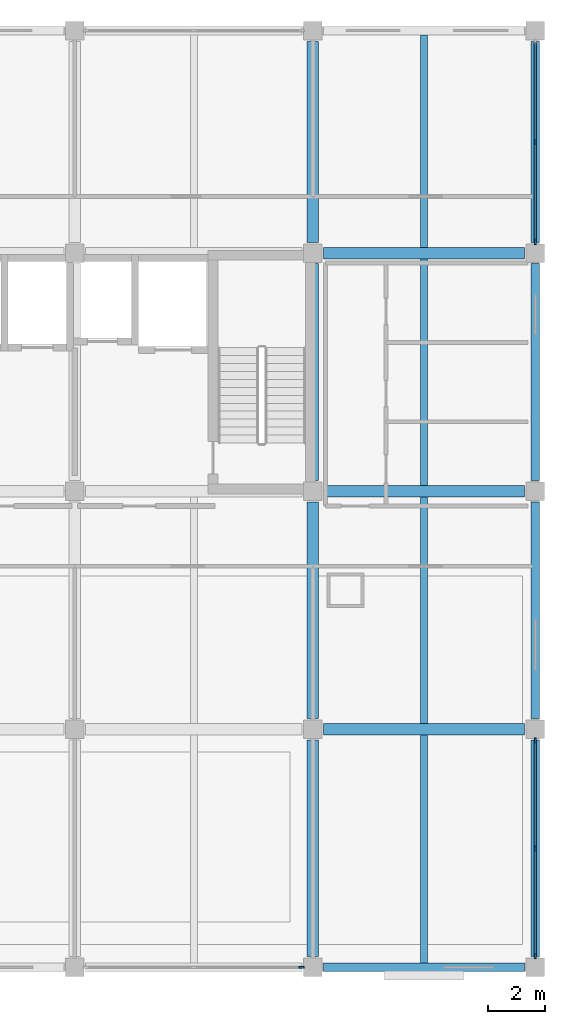
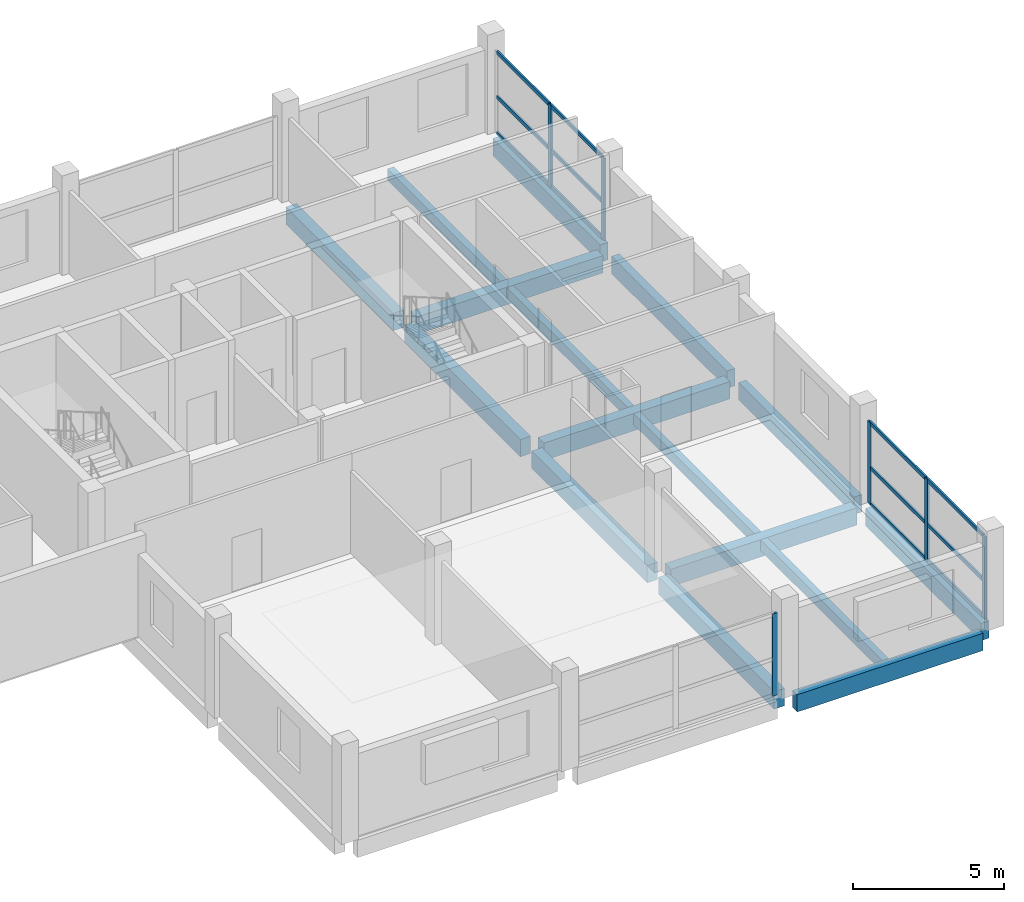
# One storey, part 4 of 9: 18 members, 16 beams, 3 elements without a shape of their own.
"""IFC4 building model written with IfcOpenShell, lengths in metres."""

import ifcopenshell
import ifcopenshell.guid

model = None  # the IFC model being written
_history = None  # IfcOwnerHistory: only IFC2X3 demands one
_inside = {}  # id of a spatial element -> (the spatial element, [elements in it])
_under = {}  # id of a project, library or spatial element -> (it, [spatial elements below it])
_declared = {}  # id of a project -> (the project, [libraries it declares])
_typed = {}  # id of a type object -> (the type object, [elements of that type])
_made_of = {}  # id of a material, layer set ... -> (it, [elements and type objects made of it])


def new_model(schema):
    """Start an empty IFC model of exactly this schema.

    Asked for "IFC4X3", IfcOpenShell would pick the latest addendum, in which some entities
    have other attributes; the version numbers below select the first issue.
    IFC2X3 requires an IfcOwnerHistory on every rooted entity: one is made here for all.
    """
    global model, _history
    if schema == "IFC4X3":
        model = ifcopenshell.file(schema_version=(4, 3, 0, 0))
    else:
        model = ifcopenshell.file(schema=schema)
    _inside.clear()
    _under.clear()
    _declared.clear()
    _typed.clear()
    _made_of.clear()
    _history = None
    if model.schema == "IFC2X3":
        org = make("IfcOrganization", Name="unknown")
        user = make(
            "IfcPersonAndOrganization",
            ThePerson=make("IfcPerson", FamilyName="unknown"),
            TheOrganization=org,
        )
        app = make(
            "IfcApplication",
            ApplicationDeveloper=org,
            Version="unknown",
            ApplicationFullName="unknown",
            ApplicationIdentifier="unknown",
        )
        _history = make(
            "IfcOwnerHistory",
            OwningUser=user,
            OwningApplication=app,
            ChangeAction="ADDED",
            CreationDate=0,
        )
    return model


def make(cls, **values):
    """One entity of the class cls with the attributes given. An attribute that is None is left unset."""
    return model.create_entity(
        cls, **{name: value for name, value in values.items() if value is not None}
    )


def rooted(cls, **values):
    """An entity with a GlobalId (a new one), such as an element, a storey or a relation."""
    return make(cls, GlobalId=ifcopenshell.guid.new(), OwnerHistory=_history, **values)


def si_unit(unit_type, name, prefix=None):
    """IfcSIUnit, for example si_unit("LENGTHUNIT", "METRE", prefix="MILLI")."""
    return make("IfcSIUnit", UnitType=unit_type, Prefix=prefix, Name=name)


def assignment(units):
    """IfcUnitAssignment: the units of a project."""
    return None if units is None else make("IfcUnitAssignment", Units=units)


def point(xyz):
    """IfcCartesianPoint."""
    return None if xyz is None else make("IfcCartesianPoint", Coordinates=xyz)


def direction(xyz):
    """IfcDirection."""
    return None if xyz is None else make("IfcDirection", DirectionRatios=xyz)


def frame(location, z_axis=None, x_axis=None):
    """IfcAxis2Placement3D, a coordinate frame: its origin and axes. An axis left out is left unset."""
    return make(
        "IfcAxis2Placement3D",
        Location=point(location),
        Axis=direction(z_axis),
        RefDirection=direction(x_axis),
    )


def frame_2d(location, x_axis=None):
    """IfcAxis2Placement2D, a coordinate frame in the plane: its origin and x axis."""
    return make(
        "IfcAxis2Placement2D", Location=point(location), RefDirection=direction(x_axis)
    )


def origin():
    """The frame at (0, 0, 0) with its axes left unset."""
    return frame((0.0, 0.0, 0.0))


def origin_2d():
    """The frame at (0, 0) in the plane with its x axis left unset."""
    return frame_2d((0.0, 0.0))


def place(relative_to, where):
    """IfcLocalPlacement: puts the frame where relative to a parent placement (None: the world)."""
    return make(
        "IfcLocalPlacement", PlacementRelTo=relative_to, RelativePlacement=where
    )


def context(
    kind, dimensions, precision=None, world=None, true_north=None, identifier=None
):
    """IfcGeometricRepresentationContext, for example the 3D "Model" context."""
    return make(
        "IfcGeometricRepresentationContext",
        ContextIdentifier=identifier,
        ContextType=kind,
        CoordinateSpaceDimension=dimensions,
        Precision=precision,
        WorldCoordinateSystem=world,
        TrueNorth=true_north,
    )


def subcontext(parent, identifier, kind, view, scale=None):
    """IfcGeometricRepresentationSubContext, for example "Body" below "Model"."""
    return make(
        "IfcGeometricRepresentationSubContext",
        ContextIdentifier=identifier,
        ContextType=kind,
        ParentContext=parent,
        TargetScale=scale,
        TargetView=view,
    )


def project(units=None, contexts=None):
    """IfcProject with its units and contexts."""
    return rooted(
        "IfcProject",
        Name="project",
        RepresentationContexts=contexts,
        UnitsInContext=assignment(units),
    )


def spatial(cls, under=None, at=None, **own):
    """A site, building, storey or space (cls), placed at a placement, below another one or the project."""
    s = rooted(cls, ObjectPlacement=at, **own)
    if under is not None:
        _under.setdefault(under.id(), (under, []))[1].append(s)
    return s


def profile(cls, at=None, kind="AREA", **sizes):
    """A parametric profile (cls). Its sizes go by their IFC names, for example OverallWidth=200.0."""
    return make(cls, ProfileType=kind, Position=at, **sizes)


def rectangle(**sizes):
    """IfcRectangleProfileDef."""
    return profile("IfcRectangleProfileDef", **sizes)


def extrude(swept, where, along, depth):
    """IfcExtrudedAreaSolid: the profile swept, set in the frame where, extruded along a direction by depth."""
    return make(
        "IfcExtrudedAreaSolid",
        SweptArea=swept,
        Position=where,
        ExtrudedDirection=direction(along),
        Depth=depth,
    )


def shape(context_of_items, identifier, shape_type, items):
    """IfcShapeRepresentation: the items that make up one representation, for example the "Body"."""
    return make(
        "IfcShapeRepresentation",
        ContextOfItems=context_of_items,
        RepresentationIdentifier=identifier,
        RepresentationType=shape_type,
        Items=items,
    )


def material(Name=None, Category=None):
    """IfcMaterial."""
    return make("IfcMaterial", Name=Name, Category=Category)


def material_profile(
    of_material, cross_section, Name=None, Category=None, Priority=None
):
    """IfcMaterialProfile: a cross section and its material."""
    return make(
        "IfcMaterialProfile",
        Name=Name,
        Material=of_material,
        Profile=cross_section,
        Priority=Priority,
        Category=Category,
    )


def profile_set(profiles, Name=None, composite=None):
    """IfcMaterialProfileSet."""
    return make(
        "IfcMaterialProfileSet",
        Name=Name,
        MaterialProfiles=profiles,
        CompositeProfile=composite,
    )


def made_of(thing, what):
    """Note that an element or type object is made of a material, layer set ...; save() writes the relation."""
    if what is not None:
        _made_of.setdefault(what.id(), (what, []))[1].append(thing)
    return thing


def type_object(cls, material=None, **own):
    """A type object (cls), such as IfcWallType, which elements share."""
    return made_of(rooted(cls, **own), material)


def element(
    cls,
    number,
    at=None,
    inside=None,
    cuts=None,
    type_object=None,
    material=None,
    context=None,
    identifier="Body",
    shape_type=None,
    held_by="IfcProductDefinitionShape",
    body=None,
    shapes=None,
    **own,
):
    """One element of the class cls, such as IfcWall. Its Tag is "e" and its number.

    at: its placement. inside: the storey or other place that contains it. cuts: it is an
    opening in that element (IfcRelVoidsElement). A single representation is given by context,
    identifier, shape_type and body (its items); several are given by shapes. held_by: the class
    of the entity that holds the representations. save() writes the other relations.
    """
    e = rooted(cls, Tag="e%d" % number, ObjectPlacement=at, **own)
    if body is not None:
        shapes = [shape(context, identifier, shape_type, body)]
    if shapes is not None:
        e.Representation = make(held_by, Representations=shapes)
    if inside is not None:
        _inside.setdefault(inside.id(), (inside, []))[1].append(e)
    if cuts is not None:
        rooted(
            "IfcRelVoidsElement", RelatingBuildingElement=cuts, RelatedOpeningElement=e
        )
    if type_object is not None:
        _typed.setdefault(type_object.id(), (type_object, []))[1].append(e)
    return made_of(e, material)


def aggregate(whole, parts):
    """IfcRelAggregates: a whole, such as a stair, and the parts it consists of."""
    return rooted("IfcRelAggregates", RelatingObject=whole, RelatedObjects=parts)


def save(model, path):
    """Write the relations noted so far, then the file.

    IfcRelAggregates (storeys below a building ...), IfcRelContainedInSpatialStructure (elements
    in a storey), IfcRelDefinesByType, IfcRelAssociatesMaterial and IfcRelDeclares: one each for
    every whole, place, type object, material and project.
    """
    for whole, parts in _under.values():
        aggregate(whole, parts)
    for where, things in _inside.values():
        rooted(
            "IfcRelContainedInSpatialStructure",
            RelatedElements=things,
            RelatingStructure=where,
        )
    for kind, things in _typed.values():
        rooted("IfcRelDefinesByType", RelatedObjects=things, RelatingType=kind)
    for what, things in _made_of.values():
        rooted("IfcRelAssociatesMaterial", RelatedObjects=things, RelatingMaterial=what)
    for by, libraries in _declared.values():
        rooted("IfcRelDeclares", RelatingContext=by, RelatedDefinitions=libraries)
    model.write(path)


model = new_model("IFC4")

# Units and contexts
model_context = context("Model", 3, precision=1e-05, world=origin(), true_north=direction((0.0, 1.0)))
body_context = subcontext(model_context, "Body", "Model", "MODEL_VIEW")
ifc_project = project(units=[si_unit("LENGTHUNIT", "METRE"), si_unit("AREAUNIT", "SQUARE_METRE"), si_unit("VOLUMEUNIT", "CUBIC_METRE"), si_unit("PLANEANGLEUNIT", "RADIAN"), si_unit("MASSUNIT", "GRAM", prefix="KILO")], contexts=[model_context])

# Site, building, storey
site_placement = place(None, origin())
site = spatial("IfcSite", under=ifc_project, at=site_placement, CompositionType="ELEMENT")
building_placement = place(site_placement, origin())
building = spatial("IfcBuilding", under=site, at=building_placement, Name="Brinegate Botanical Conservatory", CompositionType="ELEMENT")
storey_placement = place(building_placement, frame((0.0, 0.0, 57.0)))
storey = spatial("IfcBuildingStorey", under=building, at=storey_placement, Name="L14", CompositionType="ELEMENT", Elevation=57.0)

# Beams
ifc_material_1 = material(Name="Concrete C40/50", Category="concrete")
ifc_material_profile_1 = material_profile(ifc_material_1, rectangle(XDim=0.39990234375, YDim=0.699951171875, at=origin_2d()), Name="RC BM 400x700")
ifc_profile_set_1 = profile_set([ifc_material_profile_1], Name="Concrete C40/50")
beam_type_1 = type_object("IfcBeamType", Name="Beam_BM-T2", PredefinedType="BEAM", material=ifc_profile_set_1)
for number, where, z_axis, x_axis, name in (
    (1, (155.97509765625, 86.800048828125, -0.52001953125), (1.0, 0.0, 0.0), (0.0, 1.0, 0.0), "Beam BM-T2 L14 L:20-21"),
    (2, (155.97509765625, 95.199951171875, -0.52001953125), (1.0, 0.0, 0.0), (0.0, 1.0, 0.0), "Beam BM-T2 L14 M:20-21"),
    (3, (155.97509765625, 103.60009765625, -0.52001953125), (1.0, 0.0, 0.0), (0.0, 1.0, 0.0), "Beam BM-T2 L14 N:20-21"),
):
    element("IfcBeam", number, at=place(storey_placement, frame(where, z_axis=z_axis, x_axis=x_axis)), inside=storey, type_object=beam_type_1, Name=name, PredefinedType="BEAM", context=body_context, shape_type="SweptSolid", body=[
        extrude(rectangle(XDim=0.39990234375, YDim=0.699951171875, at=origin_2d()), origin(), (0.0, 0.0, 1.0), 7.099853515625),
    ])
beam_1_placement = place(storey_placement, frame((155.60009765625, 78.77490234375, -0.52001953125), z_axis=(0.0, 1.0, 0.0), x_axis=(-1.0, 0.0, 0.0)))
element("IfcBeam", 4, at=beam_1_placement, inside=storey, type_object=beam_type_1, Name="Beam BM-T2 L14 20:K-L", PredefinedType="BEAM", context=body_context, shape_type="SweptSolid", body=[
    extrude(rectangle(XDim=0.39990234375, YDim=0.699951171875, at=origin_2d()), origin(), (0.0, 0.0, 1.0), 7.650146484375),
])
beam_2_placement = place(storey_placement, frame((155.60009765625, 87.175048828125, -0.52001953125), z_axis=(0.0, 1.0, 0.0), x_axis=(-1.0, 0.0, 0.0)))
element("IfcBeam", 5, at=beam_2_placement, inside=storey, type_object=beam_type_1, Name="Beam BM-T2 L14 20:L-M", PredefinedType="BEAM", context=body_context, shape_type="SweptSolid", body=[
    extrude(rectangle(XDim=0.39990234375, YDim=0.699951171875, at=origin_2d()), origin(), (0.0, 0.0, 1.0), 7.64990234375),
])
beam_3_placement = place(storey_placement, frame((155.60009765625, 95.574951171875, -0.52001953125), z_axis=(0.0, 1.0, 0.0), x_axis=(-1.0, 0.0, 0.0)))
element("IfcBeam", 6, at=beam_3_placement, inside=storey, type_object=beam_type_1, Name="Beam BM-T2 L14 20:M-N", PredefinedType="BEAM", context=body_context, shape_type="SweptSolid", body=[
    extrude(rectangle(XDim=0.39990234375, YDim=0.699951171875, at=origin_2d()), origin(), (0.0, 0.0, 1.0), 7.650146484375),
])
beam_4_placement = place(storey_placement, frame((155.60009765625, 103.97509765625, -0.52001953125), z_axis=(0.0, 1.0, 0.0), x_axis=(-1.0, 0.0, 0.0)))
element("IfcBeam", 7, at=beam_4_placement, inside=storey, type_object=beam_type_1, Name="Beam BM-T2 L14 20:N-P", PredefinedType="BEAM", context=body_context, shape_type="SweptSolid", body=[
    extrude(rectangle(XDim=0.39990234375, YDim=0.699951171875, at=origin_2d()), origin(), (0.0, 0.0, 1.0), 7.099853515625),
])
ifc_material_profile_2 = material_profile(ifc_material_1, rectangle(XDim=0.25, YDim=0.449951171875, at=origin_2d()), Name="RC JST 250x450")
ifc_profile_set_2 = profile_set([ifc_material_profile_2], Name="Concrete C40/50")
beam_type_2 = type_object("IfcBeamType", Name="Beam_JS-C3", PredefinedType="JOIST", material=ifc_profile_set_2)
beam_5_placement = place(storey_placement, frame((159.52490234375, 78.550048828125, -0.39501953125), z_axis=(0.0, 1.0, 0.0), x_axis=(-1.0, 0.0, 0.0)))
element("IfcBeam", 8, at=beam_5_placement, inside=storey, type_object=beam_type_2, Name="Floor joist JS-C3 L14 bay 20.10", PredefinedType="JOIST", context=body_context, shape_type="SweptSolid", body=[
    extrude(rectangle(XDim=0.25, YDim=0.449951171875, at=origin_2d()), origin(), (0.0, 0.0, 1.0), 8.050048828125),
])
for number, where, z_axis, x_axis, name in (
    (9, (159.52490234375, 87.0, -0.39501953125), (0.0, 1.0, 0.0), (-1.0, 0.0, 0.0), "Floor joist JS-C3 L14 bay 20.11"),
    (10, (159.52490234375, 95.39990234375, -0.39501953125), (0.0, 1.0, 0.0), (-1.0, 0.0, 0.0), "Floor joist JS-C3 L14 bay 20.12"),
):
    element("IfcBeam", number, at=place(storey_placement, frame(where, z_axis=z_axis, x_axis=x_axis)), inside=storey, type_object=beam_type_2, Name=name, PredefinedType="JOIST", context=body_context, shape_type="SweptSolid", body=[
        extrude(rectangle(XDim=0.25, YDim=0.449951171875, at=origin_2d()), origin(), (0.0, 0.0, 1.0), 8.0),
    ])
beam_6_placement = place(storey_placement, frame((159.52490234375, 103.800048828125, -0.39501953125), z_axis=(0.0, 1.0, 0.0), x_axis=(-1.0, 0.0, 0.0)))
element("IfcBeam", 11, at=beam_6_placement, inside=storey, type_object=beam_type_2, Name="Floor joist JS-C3 L14 bay 20.13", PredefinedType="JOIST", context=body_context, shape_type="SweptSolid", body=[
    extrude(rectangle(XDim=0.25, YDim=0.449951171875, at=origin_2d()), origin(), (0.0, 0.0, 1.0), 7.5),
])
ifc_material_profile_3 = material_profile(ifc_material_1, rectangle(XDim=0.300048828125, YDim=0.699951171875, at=origin_2d()), Name="RC SPN 300x700")
ifc_profile_set_3 = profile_set([ifc_material_profile_3], Name="Concrete C40/50")
beam_type_3 = type_object("IfcBeamType", Name="Beam_SP-02", PredefinedType="SPANDREL", material=ifc_profile_set_3)
beam_7_placement = place(storey_placement, frame((155.97509765625, 78.39990234375, -0.52001953125), z_axis=(1.0, 0.0, 0.0), x_axis=(0.0, 1.0, 0.0)))
element("IfcBeam", 12, at=beam_7_placement, inside=storey, type_object=beam_type_3, Name="Beam SP-02 L14 K:20-21", PredefinedType="SPANDREL", context=body_context, shape_type="SweptSolid", body=[
    extrude(rectangle(XDim=0.300048828125, YDim=0.699951171875, at=origin_2d()), origin(), (0.0, 0.0, 1.0), 7.099853515625),
])
beam_8_placement = place(storey_placement, frame((163.449951171875, 78.77490234375, -0.52001953125), z_axis=(0.0, 1.0, 0.0), x_axis=(-1.0, 0.0, 0.0)))
element("IfcBeam", 13, at=beam_8_placement, inside=storey, type_object=beam_type_3, Name="Beam SP-02 L14 21:K-L", PredefinedType="SPANDREL", context=body_context, shape_type="SweptSolid", body=[
    extrude(rectangle(XDim=0.300048828125, YDim=0.699951171875, at=origin_2d()), origin(), (0.0, 0.0, 1.0), 7.650146484375),
])
beam_9_placement = place(storey_placement, frame((163.449951171875, 87.175048828125, -0.52001953125), z_axis=(0.0, 1.0, 0.0), x_axis=(-1.0, 0.0, 0.0)))
element("IfcBeam", 14, at=beam_9_placement, inside=storey, type_object=beam_type_3, Name="Beam SP-02 L14 21:L-M", PredefinedType="SPANDREL", context=body_context, shape_type="SweptSolid", body=[
    extrude(rectangle(XDim=0.300048828125, YDim=0.699951171875, at=origin_2d()), origin(), (0.0, 0.0, 1.0), 7.64990234375),
])
beam_10_placement = place(storey_placement, frame((163.449951171875, 95.574951171875, -0.52001953125), z_axis=(0.0, 1.0, 0.0), x_axis=(-1.0, 0.0, 0.0)))
element("IfcBeam", 15, at=beam_10_placement, inside=storey, type_object=beam_type_3, Name="Beam SP-02 L14 21:M-N", PredefinedType="SPANDREL", context=body_context, shape_type="SweptSolid", body=[
    extrude(rectangle(XDim=0.300048828125, YDim=0.699951171875, at=origin_2d()), origin(), (0.0, 0.0, 1.0), 7.650146484375),
])
beam_11_placement = place(storey_placement, frame((163.449951171875, 103.97509765625, -0.52001953125), z_axis=(0.0, 1.0, 0.0), x_axis=(-1.0, 0.0, 0.0)))
element("IfcBeam", 16, at=beam_11_placement, inside=storey, type_object=beam_type_3, Name="Beam SP-02 L14 21:N-P", PredefinedType="SPANDREL", context=body_context, shape_type="SweptSolid", body=[
    extrude(rectangle(XDim=0.300048828125, YDim=0.699951171875, at=origin_2d()), origin(), (0.0, 0.0, 1.0), 7.099853515625),
])

# Curtain wall, member
ifc_material_2 = material(Name="Thermally broken anodised aluminium AW-6063-T6", Category="aluminium")
curtain_wall_type = type_object("IfcCurtainWallType", Name="CW_CW-TW1", PredefinedType="USERDEFINED", material=ifc_material_2)
curtain_wall_1_placement = place(storey_placement, origin())
curtain_wall_1 = element("IfcCurtainWall", 17, at=curtain_wall_1_placement, inside=storey, type_object=curtain_wall_type, Name="Tower south curtain wall L14.2", ObjectType="FACTORY CURTAIN WALL", PredefinedType="USERDEFINED")
ifc_material_profile_4 = material_profile(ifc_material_2, rectangle(XDim=0.070068359375, YDim=0.199951171875, at=origin_2d()), Name="ALUM MULLION 70x200")
ifc_profile_set_4 = profile_set([ifc_material_profile_4], Name="Thermally broken anodised aluminium AW-6063-T6")
member_type_1 = type_object("IfcMemberType", Name="Member_ML-03", PredefinedType="MULLION", material=ifc_profile_set_4)
member_1_placement = place(storey_placement, frame((155.199951171875, 78.39990234375, 0.0), z_axis=(0.0, 0.0, 1.0), x_axis=(0.0, -1.0, 0.0)))
member_1 = element("IfcMember", 18, at=member_1_placement, type_object=member_type_1, Name="CW-TW1 mullion 1", PredefinedType="MULLION", context=body_context, shape_type="SweptSolid", body=[
    extrude(rectangle(XDim=0.070068359375, YDim=0.199951171875, at=origin_2d()), origin(), (0.0, 0.0, 1.0), 3.320068359375),
])
aggregate(curtain_wall_1, [member_1])

# Curtain wall, members
curtain_wall_2_placement = place(storey_placement, origin())
curtain_wall_2 = element("IfcCurtainWall", 19, at=curtain_wall_2_placement, inside=storey, type_object=curtain_wall_type, Name="Tower east curtain wall L14.1", ObjectType="FACTORY CURTAIN WALL", PredefinedType="USERDEFINED")
member_2_placement = place(storey_placement, frame((163.449951171875, 86.39990234375, 0.0), z_axis=(0.0, 0.0, 1.0), x_axis=(1.0, 0.0, 0.0)))
member_2 = element("IfcMember", 20, at=member_2_placement, type_object=member_type_1, Name="CW-TW1 mullion 1", PredefinedType="MULLION", context=body_context, shape_type="SweptSolid", body=[
    extrude(rectangle(XDim=0.070068359375, YDim=0.199951171875, at=origin_2d()), origin(), (0.0, 0.0, 1.0), 3.320068359375),
])
member_3_placement = place(storey_placement, frame((163.449951171875, 82.60009765625, 0.0), z_axis=(0.0, 0.0, 1.0), x_axis=(1.0, 0.0, 0.0)))
member_3 = element("IfcMember", 21, at=member_3_placement, type_object=member_type_1, Name="CW-TW1 mullion 2", PredefinedType="MULLION", context=body_context, shape_type="SweptSolid", body=[
    extrude(rectangle(XDim=0.070068359375, YDim=0.199951171875, at=origin_2d()), origin(), (0.0, 0.0, 1.0), 3.320068359375),
])
member_4_placement = place(storey_placement, frame((163.449951171875, 78.800048828125, 0.0), z_axis=(0.0, 0.0, 1.0), x_axis=(1.0, 0.0, 0.0)))
member_4 = element("IfcMember", 22, at=member_4_placement, type_object=member_type_1, Name="CW-TW1 mullion 3", PredefinedType="MULLION", context=body_context, shape_type="SweptSolid", body=[
    extrude(rectangle(XDim=0.070068359375, YDim=0.199951171875, at=origin_2d()), origin(), (0.0, 0.0, 1.0), 3.320068359375),
])

curtain_wall_3_placement = place(storey_placement, origin())
curtain_wall_3 = element("IfcCurtainWall", 23, at=curtain_wall_3_placement, inside=storey, type_object=curtain_wall_type, Name="Tower east curtain wall L14.4", ObjectType="FACTORY CURTAIN WALL", PredefinedType="USERDEFINED")
member_5_placement = place(storey_placement, frame((163.449951171875, 107.52490234375, 0.0), z_axis=(0.0, 0.0, 1.0), x_axis=(1.0, 0.0, 0.0)))
member_5 = element("IfcMember", 24, at=member_5_placement, type_object=member_type_1, Name="CW-TW1 mullion 2", PredefinedType="MULLION", context=body_context, shape_type="SweptSolid", body=[
    extrude(rectangle(XDim=0.070068359375, YDim=0.199951171875, at=origin_2d()), origin(), (0.0, 0.0, 1.0), 3.320068359375),
])
member_6_placement = place(storey_placement, frame((163.449951171875, 104.0, 0.0), z_axis=(0.0, 0.0, 1.0), x_axis=(1.0, 0.0, 0.0)))
member_6 = element("IfcMember", 25, at=member_6_placement, type_object=member_type_1, Name="CW-TW1 mullion 3", PredefinedType="MULLION", context=body_context, shape_type="SweptSolid", body=[
    extrude(rectangle(XDim=0.070068359375, YDim=0.199951171875, at=origin_2d()), origin(), (0.0, 0.0, 1.0), 3.320068359375),
])

# Member
ifc_material_profile_5 = material_profile(ifc_material_2, rectangle(XDim=0.070068359375, YDim=0.14990234375, at=origin_2d()), Name="ALUM TRANSOM 70x150")
ifc_profile_set_5 = profile_set([ifc_material_profile_5], Name="Thermally broken anodised aluminium AW-6063-T6")
member_type_2 = type_object("IfcMemberType", Name="Member_TR-03", PredefinedType="USERDEFINED", material=ifc_profile_set_5)
member_7_placement = place(storey_placement, frame((163.449951171875, 86.364990234375, 0.034912109375), z_axis=(0.0, -1.0, 0.0), x_axis=(1.0, 0.0, 0.0)))
member_7 = element("IfcMember", 26, at=member_7_placement, type_object=member_type_2, Name="CW-TW1 transom 1.1", ObjectType="TRANSOM", PredefinedType="USERDEFINED", context=body_context, shape_type="SweptSolid", body=[
    extrude(rectangle(XDim=0.070068359375, YDim=0.14990234375, at=origin_2d()), origin(), (0.0, 0.0, 1.0), 3.72998046875),
])

member_8_placement = place(storey_placement, frame((163.449951171875, 86.364990234375, 1.493896484375), z_axis=(0.0, -1.0, 0.0), x_axis=(1.0, 0.0, 0.0)))
member_8 = element("IfcMember", 27, at=member_8_placement, type_object=member_type_2, Name="CW-TW1 transom 1.2", ObjectType="TRANSOM", PredefinedType="USERDEFINED", context=body_context, shape_type="SweptSolid", body=[
    extrude(rectangle(XDim=0.070068359375, YDim=0.14990234375, at=origin_2d()), origin(), (0.0, 0.0, 1.0), 3.72998046875),
])

member_9_placement = place(storey_placement, frame((163.449951171875, 86.364990234375, 3.284912109375), z_axis=(0.0, -1.0, 0.0), x_axis=(1.0, 0.0, 0.0)))
member_9 = element("IfcMember", 28, at=member_9_placement, type_object=member_type_2, Name="CW-TW1 transom 1.3", ObjectType="TRANSOM", PredefinedType="USERDEFINED", context=body_context, shape_type="SweptSolid", body=[
    extrude(rectangle(XDim=0.070068359375, YDim=0.14990234375, at=origin_2d()), origin(), (0.0, 0.0, 1.0), 3.72998046875),
])

member_10_placement = place(storey_placement, frame((163.449951171875, 82.56494140625, 0.034912109375), z_axis=(0.0, -1.0, 0.0), x_axis=(1.0, 0.0, 0.0)))
member_10 = element("IfcMember", 29, at=member_10_placement, type_object=member_type_2, Name="CW-TW1 transom 2.1", ObjectType="TRANSOM", PredefinedType="USERDEFINED", context=body_context, shape_type="SweptSolid", body=[
    extrude(rectangle(XDim=0.070068359375, YDim=0.14990234375, at=origin_2d()), origin(), (0.0, 0.0, 1.0), 3.72998046875),
])

member_11_placement = place(storey_placement, frame((163.449951171875, 82.56494140625, 1.493896484375), z_axis=(0.0, -1.0, 0.0), x_axis=(1.0, 0.0, 0.0)))
member_11 = element("IfcMember", 30, at=member_11_placement, type_object=member_type_2, Name="CW-TW1 transom 2.2", ObjectType="TRANSOM", PredefinedType="USERDEFINED", context=body_context, shape_type="SweptSolid", body=[
    extrude(rectangle(XDim=0.070068359375, YDim=0.14990234375, at=origin_2d()), origin(), (0.0, 0.0, 1.0), 3.72998046875),
])

member_12_placement = place(storey_placement, frame((163.449951171875, 82.56494140625, 3.284912109375), z_axis=(0.0, -1.0, 0.0), x_axis=(1.0, 0.0, 0.0)))
member_12 = element("IfcMember", 31, at=member_12_placement, type_object=member_type_2, Name="CW-TW1 transom 2.3", ObjectType="TRANSOM", PredefinedType="USERDEFINED", context=body_context, shape_type="SweptSolid", body=[
    extrude(rectangle(XDim=0.070068359375, YDim=0.14990234375, at=origin_2d()), origin(), (0.0, 0.0, 1.0), 3.72998046875),
])

aggregate(curtain_wall_2, [member_2, member_3, member_4, member_7, member_8, member_9, member_10, member_11, member_12])

member_13_placement = place(storey_placement, frame((163.449951171875, 111.014892578125, 0.034912109375), z_axis=(0.0, -1.0, 0.0), x_axis=(1.0, 0.0, 0.0)))
member_13 = element("IfcMember", 32, at=member_13_placement, type_object=member_type_2, Name="CW-TW1 transom 1.1", ObjectType="TRANSOM", PredefinedType="USERDEFINED", context=body_context, shape_type="SweptSolid", body=[
    extrude(rectangle(XDim=0.070068359375, YDim=0.14990234375, at=origin_2d()), origin(), (0.0, 0.0, 1.0), 3.454833984375),
])

member_14_placement = place(storey_placement, frame((163.449951171875, 111.014892578125, 1.493896484375), z_axis=(0.0, -1.0, 0.0), x_axis=(1.0, 0.0, 0.0)))
member_14 = element("IfcMember", 33, at=member_14_placement, type_object=member_type_2, Name="CW-TW1 transom 1.2", ObjectType="TRANSOM", PredefinedType="USERDEFINED", context=body_context, shape_type="SweptSolid", body=[
    extrude(rectangle(XDim=0.070068359375, YDim=0.14990234375, at=origin_2d()), origin(), (0.0, 0.0, 1.0), 3.454833984375),
])

member_15_placement = place(storey_placement, frame((163.449951171875, 111.014892578125, 3.284912109375), z_axis=(0.0, -1.0, 0.0), x_axis=(1.0, 0.0, 0.0)))
member_15 = element("IfcMember", 34, at=member_15_placement, type_object=member_type_2, Name="CW-TW1 transom 1.3", ObjectType="TRANSOM", PredefinedType="USERDEFINED", context=body_context, shape_type="SweptSolid", body=[
    extrude(rectangle(XDim=0.070068359375, YDim=0.14990234375, at=origin_2d()), origin(), (0.0, 0.0, 1.0), 3.454833984375),
])

member_16_placement = place(storey_placement, frame((163.449951171875, 107.489990234375, 0.034912109375), z_axis=(0.0, -1.0, 0.0), x_axis=(1.0, 0.0, 0.0)))
member_16 = element("IfcMember", 35, at=member_16_placement, type_object=member_type_2, Name="CW-TW1 transom 2.1", ObjectType="TRANSOM", PredefinedType="USERDEFINED", context=body_context, shape_type="SweptSolid", body=[
    extrude(rectangle(XDim=0.070068359375, YDim=0.14990234375, at=origin_2d()), origin(), (0.0, 0.0, 1.0), 3.455078125),
])

member_17_placement = place(storey_placement, frame((163.449951171875, 107.489990234375, 1.493896484375), z_axis=(0.0, -1.0, 0.0), x_axis=(1.0, 0.0, 0.0)))
member_17 = element("IfcMember", 36, at=member_17_placement, type_object=member_type_2, Name="CW-TW1 transom 2.2", ObjectType="TRANSOM", PredefinedType="USERDEFINED", context=body_context, shape_type="SweptSolid", body=[
    extrude(rectangle(XDim=0.070068359375, YDim=0.14990234375, at=origin_2d()), origin(), (0.0, 0.0, 1.0), 3.455078125),
])

member_18_placement = place(storey_placement, frame((163.449951171875, 107.489990234375, 3.284912109375), z_axis=(0.0, -1.0, 0.0), x_axis=(1.0, 0.0, 0.0)))
member_18 = element("IfcMember", 37, at=member_18_placement, type_object=member_type_2, Name="CW-TW1 transom 2.3", ObjectType="TRANSOM", PredefinedType="USERDEFINED", context=body_context, shape_type="SweptSolid", body=[
    extrude(rectangle(XDim=0.070068359375, YDim=0.14990234375, at=origin_2d()), origin(), (0.0, 0.0, 1.0), 3.455078125),
])

aggregate(curtain_wall_3, [member_5, member_6, member_13, member_14, member_15, member_16, member_17, member_18])

save(model, "model.ifc")
